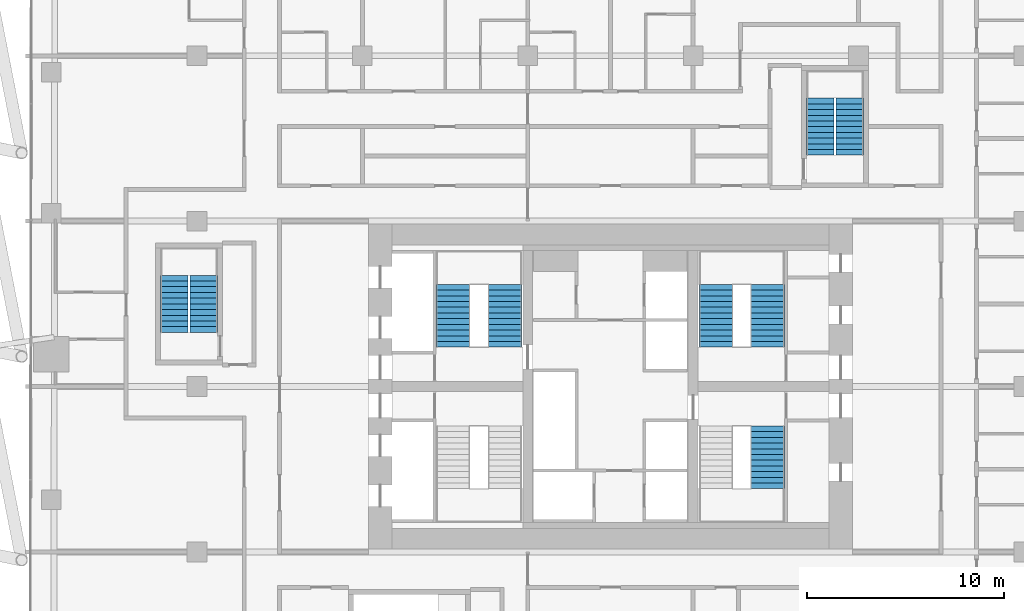
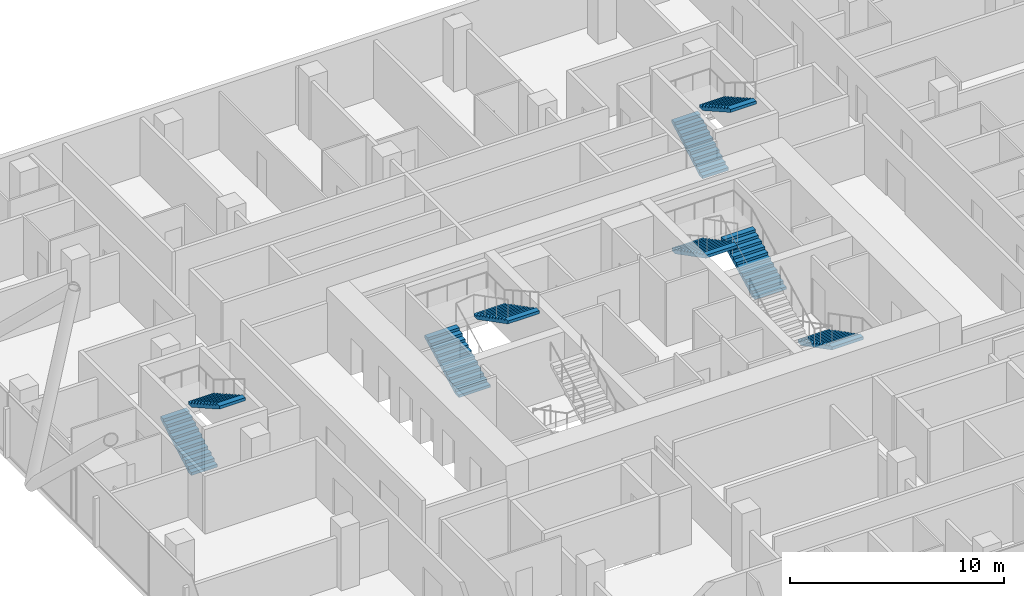
# One storey, part 35 of 36: 9 stair flights, 5 elements without a shape of their own.
"""IFC4 building model written with IfcOpenShell, lengths in metres."""

from ifc_helpers import new_model, si_unit, direction, frame, origin, place, context, subcontext, project, spatial, polyline, outline, extrude, material, type_object, element, aggregate, save


model = new_model("IFC4")

# Units and contexts
model_context = context("Model", 3, precision=1e-05, world=origin(), true_north=direction((0.0, 1.0)))
body_context = subcontext(model_context, "Body", "Model", "MODEL_VIEW")
ifc_project = project(units=[si_unit("LENGTHUNIT", "METRE"), si_unit("AREAUNIT", "SQUARE_METRE"), si_unit("VOLUMEUNIT", "CUBIC_METRE"), si_unit("PLANEANGLEUNIT", "RADIAN"), si_unit("MASSUNIT", "GRAM", prefix="KILO")], contexts=[model_context])

# Site, building, storey
site_placement = place(None, origin())
site = spatial("IfcSite", under=ifc_project, at=site_placement, CompositionType="ELEMENT")
building_placement = place(site_placement, origin())
building = spatial("IfcBuilding", under=site, at=building_placement, Name="Marenta Gate Hotel Tower", CompositionType="ELEMENT")
storey_placement = place(building_placement, frame((0.0, 0.0, 83.300048828125)))
storey = spatial("IfcBuildingStorey", under=building, at=storey_placement, Name="L19", CompositionType="ELEMENT", Elevation=83.300048828125)

# Stair, stair flights
ifc_material_1 = material(Name="Concrete C40", Category="concrete")
stair_type_1 = type_object("IfcStairType", Name="Core exit stair 1700 wide", PredefinedType="HALF_TURN_STAIR", material=ifc_material_1)
stair_1_placement = place(storey_placement, origin())
stair_1 = element("IfcStair", 1, at=stair_1_placement, inside=storey, type_object=stair_type_1, Name="Exit stair 2", PredefinedType="HALF_TURN_STAIR")
ifc_material_2 = material(Name="Concrete C40", Category="concrete")
stair_flight_type_1 = type_object("IfcStairFlightType", Name="Core stair flight 1700 riser 150.0 going 290", PredefinedType="STRAIGHT", material=ifc_material_2)
stair_flight_1_placement = place(storey_placement, frame((-8.0, 10.39990234375, 0.0), z_axis=(0.0, 0.0, 1.0), x_axis=(0.0, 1.0, 0.0)))
stair_flight_1 = element("IfcStairFlight", 2, at=stair_flight_1_placement, type_object=stair_flight_type_1, Name="ST2 flight 1", NumberOfRisers=12, NumberOfTreads=11, PredefinedType="STRAIGHT", RiserHeight=0.15, TreadLength=0.29, context=body_context, shape_type="SweptSolid", body=[
    extrude(outline(polyline([(0.0, 0.0), (0.0, 0.14990234375), (0.2900390625, 0.14990234375), (0.2900390625, 0.300048828125), (0.580078125, 0.300048828125), (0.580078125, 0.449951171875), (0.8701171875, 0.449951171875), (0.8701171875, 0.60009765625), (1.159912109375, 0.60009765625), (1.159912109375, 0.75), (1.449951171875, 0.75), (1.449951171875, 0.89990234375), (1.739990234375, 0.89990234375), (1.739990234375, 1.050048828125), (2.030029296875, 1.050048828125), (2.030029296875, 1.199951171875), (2.320068359375, 1.199951171875), (2.320068359375, 1.35009765625), (2.610107421875, 1.35009765625), (2.610107421875, 1.5), (2.89990234375, 1.5), (2.89990234375, 1.64990234375), (3.18994140625, 1.64990234375), (3.18994140625, 1.800048828125), (3.18994140625, 1.481201171875), (0.326171875, 0.0), (0.0, 0.0)])), frame((0.0, 0.85009765625, 0.0), z_axis=(0.0, -1.0, 0.0), x_axis=(1.0, 0.0, 0.0)), (0.0, 0.0, 1.0), 1.699951171875),
])
stair_flight_2_placement = place(storey_placement, frame((-5.35009765625, 13.590087890625, 1.800048828125), z_axis=(0.0, 0.0, 1.0), x_axis=(0.0, -1.0, 0.0)))
stair_flight_2 = element("IfcStairFlight", 3, at=stair_flight_2_placement, type_object=stair_flight_type_1, Name="ST2 flight 2", NumberOfRisers=12, NumberOfTreads=11, PredefinedType="STRAIGHT", RiserHeight=0.15, TreadLength=0.29, context=body_context, shape_type="SweptSolid", body=[
    extrude(outline(polyline([(0.0, 0.0), (0.0, 0.14990234375), (0.2900390625, 0.14990234375), (0.2900390625, 0.300048828125), (0.580078125, 0.300048828125), (0.580078125, 0.449951171875), (0.8701171875, 0.449951171875), (0.8701171875, 0.60009765625), (1.159912109375, 0.60009765625), (1.159912109375, 0.75), (1.449951171875, 0.75), (1.449951171875, 0.89990234375), (1.739990234375, 0.89990234375), (1.739990234375, 1.050048828125), (2.030029296875, 1.050048828125), (2.030029296875, 1.199951171875), (2.320068359375, 1.199951171875), (2.320068359375, 1.35009765625), (2.610107421875, 1.35009765625), (2.610107421875, 1.5), (2.89990234375, 1.5), (2.89990234375, 1.64990234375), (3.18994140625, 1.64990234375), (3.18994140625, 1.800048828125), (3.18994140625, 1.481201171875), (0.326171875, 0.0), (0.0, 0.0)])), frame((0.0, 0.85009765625, 0.0), z_axis=(0.0, -1.0, 0.0), x_axis=(1.0, 0.0, 0.0)), (0.0, 0.0, 1.0), 1.699951171875),
])
aggregate(stair_1, [stair_flight_1, stair_flight_2])

# Stair, stair flight
stair_2_placement = place(storey_placement, origin())
stair_2 = element("IfcStair", 4, at=stair_2_placement, inside=storey, type_object=stair_type_1, Name="Exit stair 3", PredefinedType="HALF_TURN_STAIR")
stair_flight_3_placement = place(storey_placement, frame((8.0, 6.39990234375, 0.0), z_axis=(0.0, 0.0, 1.0), x_axis=(0.0, -1.0, 0.0)))
stair_flight_3 = element("IfcStairFlight", 5, at=stair_flight_3_placement, type_object=stair_flight_type_1, Name="ST3 flight 1", NumberOfRisers=12, NumberOfTreads=11, PredefinedType="STRAIGHT", RiserHeight=0.15, TreadLength=0.29, context=body_context, shape_type="SweptSolid", body=[
    extrude(outline(polyline([(0.0, 0.0), (0.0, 0.14990234375), (0.2900390625, 0.14990234375), (0.2900390625, 0.300048828125), (0.580078125, 0.300048828125), (0.580078125, 0.449951171875), (0.8701171875, 0.449951171875), (0.8701171875, 0.60009765625), (1.159912109375, 0.60009765625), (1.159912109375, 0.75), (1.449951171875, 0.75), (1.449951171875, 0.89990234375), (1.739990234375, 0.89990234375), (1.739990234375, 1.050048828125), (2.030029296875, 1.050048828125), (2.030029296875, 1.199951171875), (2.320068359375, 1.199951171875), (2.320068359375, 1.35009765625), (2.610107421875, 1.35009765625), (2.610107421875, 1.5), (2.89990234375, 1.5), (2.89990234375, 1.64990234375), (3.18994140625, 1.64990234375), (3.18994140625, 1.800048828125), (3.18994140625, 1.481201171875), (0.326171875, 0.0), (0.0, 0.0)])), frame((0.0, 0.85009765625, 0.0), z_axis=(0.0, -1.0, 0.0), x_axis=(1.0, 0.0, 0.0)), (0.0, 0.0, 1.0), 1.699951171875),
])
aggregate(stair_2, [stair_flight_3])

# Stair, stair flights
stair_3_placement = place(storey_placement, origin())
stair_3 = element("IfcStair", 6, at=stair_3_placement, inside=storey, type_object=stair_type_1, Name="Exit stair 4", PredefinedType="HALF_TURN_STAIR")
stair_flight_4_placement = place(storey_placement, frame((8.0, 10.39990234375, 0.0), z_axis=(0.0, 0.0, 1.0), x_axis=(0.0, 1.0, 0.0)))
stair_flight_4 = element("IfcStairFlight", 7, at=stair_flight_4_placement, type_object=stair_flight_type_1, Name="ST4 flight 1", NumberOfRisers=12, NumberOfTreads=11, PredefinedType="STRAIGHT", RiserHeight=0.15, TreadLength=0.29, context=body_context, shape_type="SweptSolid", body=[
    extrude(outline(polyline([(0.0, 0.0), (0.0, 0.14990234375), (0.2900390625, 0.14990234375), (0.2900390625, 0.300048828125), (0.580078125, 0.300048828125), (0.580078125, 0.449951171875), (0.8701171875, 0.449951171875), (0.8701171875, 0.60009765625), (1.159912109375, 0.60009765625), (1.159912109375, 0.75), (1.449951171875, 0.75), (1.449951171875, 0.89990234375), (1.739990234375, 0.89990234375), (1.739990234375, 1.050048828125), (2.030029296875, 1.050048828125), (2.030029296875, 1.199951171875), (2.320068359375, 1.199951171875), (2.320068359375, 1.35009765625), (2.610107421875, 1.35009765625), (2.610107421875, 1.5), (2.89990234375, 1.5), (2.89990234375, 1.64990234375), (3.18994140625, 1.64990234375), (3.18994140625, 1.800048828125), (3.18994140625, 1.481201171875), (0.326171875, 0.0), (0.0, 0.0)])), frame((0.0, 0.85009765625, 0.0), z_axis=(0.0, -1.0, 0.0), x_axis=(1.0, 0.0, 0.0)), (0.0, 0.0, 1.0), 1.699951171875),
])
stair_flight_5_placement = place(storey_placement, frame((5.35009765625, 13.590087890625, 1.800048828125), z_axis=(0.0, 0.0, 1.0), x_axis=(0.0, -1.0, 0.0)))
stair_flight_5 = element("IfcStairFlight", 8, at=stair_flight_5_placement, type_object=stair_flight_type_1, Name="ST4 flight 2", NumberOfRisers=12, NumberOfTreads=11, PredefinedType="STRAIGHT", RiserHeight=0.15, TreadLength=0.29, context=body_context, shape_type="SweptSolid", body=[
    extrude(outline(polyline([(0.0, 0.0), (0.0, 0.14990234375), (0.2900390625, 0.14990234375), (0.2900390625, 0.300048828125), (0.580078125, 0.300048828125), (0.580078125, 0.449951171875), (0.8701171875, 0.449951171875), (0.8701171875, 0.60009765625), (1.159912109375, 0.60009765625), (1.159912109375, 0.75), (1.449951171875, 0.75), (1.449951171875, 0.89990234375), (1.739990234375, 0.89990234375), (1.739990234375, 1.050048828125), (2.030029296875, 1.050048828125), (2.030029296875, 1.199951171875), (2.320068359375, 1.199951171875), (2.320068359375, 1.35009765625), (2.610107421875, 1.35009765625), (2.610107421875, 1.5), (2.89990234375, 1.5), (2.89990234375, 1.64990234375), (3.18994140625, 1.64990234375), (3.18994140625, 1.800048828125), (3.18994140625, 1.481201171875), (0.326171875, 0.0), (0.0, 0.0)])), frame((0.0, 0.85009765625, 0.0), z_axis=(0.0, -1.0, 0.0), x_axis=(1.0, 0.0, 0.0)), (0.0, 0.0, 1.0), 1.699951171875),
])
aggregate(stair_3, [stair_flight_4, stair_flight_5])

ifc_material_3 = material(Name="Concrete C40", Category="concrete")
stair_type_2 = type_object("IfcStairType", Name="Remote exit stair 1400 wide", PredefinedType="HALF_TURN_STAIR", material=ifc_material_3)
stair_4_placement = place(storey_placement, origin())
stair_4 = element("IfcStair", 9, at=stair_4_placement, inside=storey, type_object=stair_type_2, Name="Exit stair RS-Z1-3", PredefinedType="HALF_TURN_STAIR")
ifc_material_4 = material(Name="Concrete C40", Category="concrete")
stair_flight_type_2 = type_object("IfcStairFlightType", Name="Remote stair flight 1400 riser 163.6 going 290", PredefinedType="STRAIGHT", material=ifc_material_4)
stair_flight_6_placement = place(storey_placement, frame((-22.14990234375, 11.14990234375, 0.0), z_axis=(0.0, 0.0, 1.0), x_axis=(0.0, 1.0, 0.0)))
stair_flight_6 = element("IfcStairFlight", 10, at=stair_flight_6_placement, type_object=stair_flight_type_2, Name="RS-Z1-3 flight 1", NumberOfRisers=11, NumberOfTreads=10, PredefinedType="STRAIGHT", RiserHeight=0.163636, TreadLength=0.29, context=body_context, shape_type="SweptSolid", body=[
    extrude(outline(polyline([(0.0, 0.0), (0.0, 0.16357421875), (0.2900390625, 0.16357421875), (0.2900390625, 0.327392578125), (0.580078125, 0.327392578125), (0.580078125, 0.490966796875), (0.8701171875, 0.490966796875), (0.8701171875, 0.654541015625), (1.159912109375, 0.654541015625), (1.159912109375, 0.818115234375), (1.449951171875, 0.818115234375), (1.449951171875, 0.98193359375), (1.739990234375, 0.98193359375), (1.739990234375, 1.1455078125), (2.030029296875, 1.1455078125), (2.030029296875, 1.30908203125), (2.320068359375, 1.30908203125), (2.320068359375, 1.47265625), (2.610107421875, 1.47265625), (2.610107421875, 1.636474609375), (2.89990234375, 1.636474609375), (2.89990234375, 1.800048828125), (2.89990234375, 1.46435546875), (0.304931640625, 0.0), (0.0, 0.0)])), frame((0.0, 0.699951171875, 0.0), z_axis=(0.0, -1.0, 0.0), x_axis=(1.0, 0.0, 0.0)), (0.0, 0.0, 1.0), 1.39990234375),
])
stair_flight_7_placement = place(storey_placement, frame((-20.64990234375, 14.050048828125, 1.800048828125), z_axis=(0.0, 0.0, 1.0), x_axis=(0.0, -1.0, 0.0)))
stair_flight_7 = element("IfcStairFlight", 11, at=stair_flight_7_placement, type_object=stair_flight_type_2, Name="RS-Z1-3 flight 2", NumberOfRisers=11, NumberOfTreads=10, PredefinedType="STRAIGHT", RiserHeight=0.163636, TreadLength=0.29, context=body_context, shape_type="SweptSolid", body=[
    extrude(outline(polyline([(0.0, 0.0), (0.0, 0.16357421875), (0.2900390625, 0.16357421875), (0.2900390625, 0.327392578125), (0.580078125, 0.327392578125), (0.580078125, 0.490966796875), (0.8701171875, 0.490966796875), (0.8701171875, 0.654541015625), (1.159912109375, 0.654541015625), (1.159912109375, 0.818115234375), (1.449951171875, 0.818115234375), (1.449951171875, 0.98193359375), (1.739990234375, 0.98193359375), (1.739990234375, 1.1455078125), (2.030029296875, 1.1455078125), (2.030029296875, 1.30908203125), (2.320068359375, 1.30908203125), (2.320068359375, 1.47265625), (2.610107421875, 1.47265625), (2.610107421875, 1.636474609375), (2.89990234375, 1.636474609375), (2.89990234375, 1.800048828125), (2.89990234375, 1.46435546875), (0.304931640625, 0.0), (0.0, 0.0)])), frame((0.0, 0.699951171875, 0.0), z_axis=(0.0, -1.0, 0.0), x_axis=(1.0, 0.0, 0.0)), (0.0, 0.0, 1.0), 1.39990234375),
])
aggregate(stair_4, [stair_flight_6, stair_flight_7])

stair_5_placement = place(storey_placement, origin())
stair_5 = element("IfcStair", 12, at=stair_5_placement, inside=storey, type_object=stair_type_2, Name="Exit stair RS-Z1-4", PredefinedType="HALF_TURN_STAIR")
stair_flight_8_placement = place(storey_placement, frame((10.64990234375, 20.14990234375, 0.0), z_axis=(0.0, 0.0, 1.0), x_axis=(0.0, 1.0, 0.0)))
stair_flight_8 = element("IfcStairFlight", 13, at=stair_flight_8_placement, type_object=stair_flight_type_2, Name="RS-Z1-4 flight 1", NumberOfRisers=11, NumberOfTreads=10, PredefinedType="STRAIGHT", RiserHeight=0.163636, TreadLength=0.29, context=body_context, shape_type="SweptSolid", body=[
    extrude(outline(polyline([(0.0, 0.0), (0.0, 0.16357421875), (0.2900390625, 0.16357421875), (0.2900390625, 0.327392578125), (0.580078125, 0.327392578125), (0.580078125, 0.490966796875), (0.8701171875, 0.490966796875), (0.8701171875, 0.654541015625), (1.159912109375, 0.654541015625), (1.159912109375, 0.818115234375), (1.449951171875, 0.818115234375), (1.449951171875, 0.98193359375), (1.739990234375, 0.98193359375), (1.739990234375, 1.1455078125), (2.030029296875, 1.1455078125), (2.030029296875, 1.30908203125), (2.320068359375, 1.30908203125), (2.320068359375, 1.47265625), (2.610107421875, 1.47265625), (2.610107421875, 1.636474609375), (2.89990234375, 1.636474609375), (2.89990234375, 1.800048828125), (2.89990234375, 1.46435546875), (0.304931640625, 0.0), (0.0, 0.0)])), frame((0.0, 0.699951171875, 0.0), z_axis=(0.0, -1.0, 0.0), x_axis=(1.0, 0.0, 0.0)), (0.0, 0.0, 1.0), 1.39990234375),
])
stair_flight_9_placement = place(storey_placement, frame((12.14990234375, 23.050048828125, 1.800048828125), z_axis=(0.0, 0.0, 1.0), x_axis=(0.0, -1.0, 0.0)))
stair_flight_9 = element("IfcStairFlight", 14, at=stair_flight_9_placement, type_object=stair_flight_type_2, Name="RS-Z1-4 flight 2", NumberOfRisers=11, NumberOfTreads=10, PredefinedType="STRAIGHT", RiserHeight=0.163636, TreadLength=0.29, context=body_context, shape_type="SweptSolid", body=[
    extrude(outline(polyline([(0.0, 0.0), (0.0, 0.16357421875), (0.2900390625, 0.16357421875), (0.2900390625, 0.327392578125), (0.580078125, 0.327392578125), (0.580078125, 0.490966796875), (0.8701171875, 0.490966796875), (0.8701171875, 0.654541015625), (1.159912109375, 0.654541015625), (1.159912109375, 0.818115234375), (1.449951171875, 0.818115234375), (1.449951171875, 0.98193359375), (1.739990234375, 0.98193359375), (1.739990234375, 1.1455078125), (2.030029296875, 1.1455078125), (2.030029296875, 1.30908203125), (2.320068359375, 1.30908203125), (2.320068359375, 1.47265625), (2.610107421875, 1.47265625), (2.610107421875, 1.636474609375), (2.89990234375, 1.636474609375), (2.89990234375, 1.800048828125), (2.89990234375, 1.46435546875), (0.304931640625, 0.0), (0.0, 0.0)])), frame((0.0, 0.699951171875, 0.0), z_axis=(0.0, -1.0, 0.0), x_axis=(1.0, 0.0, 0.0)), (0.0, 0.0, 1.0), 1.39990234375),
])
aggregate(stair_5, [stair_flight_8, stair_flight_9])

save(model, "model.ifc")
